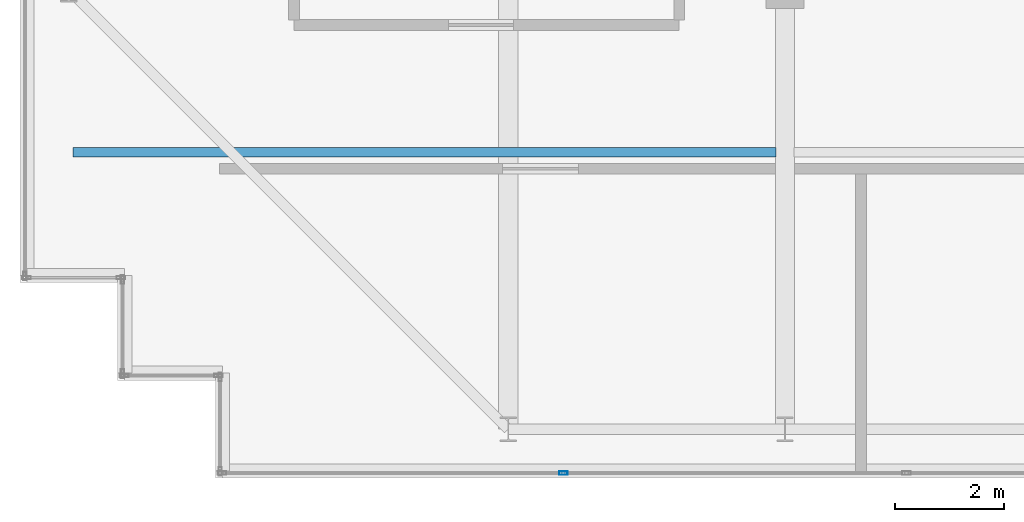
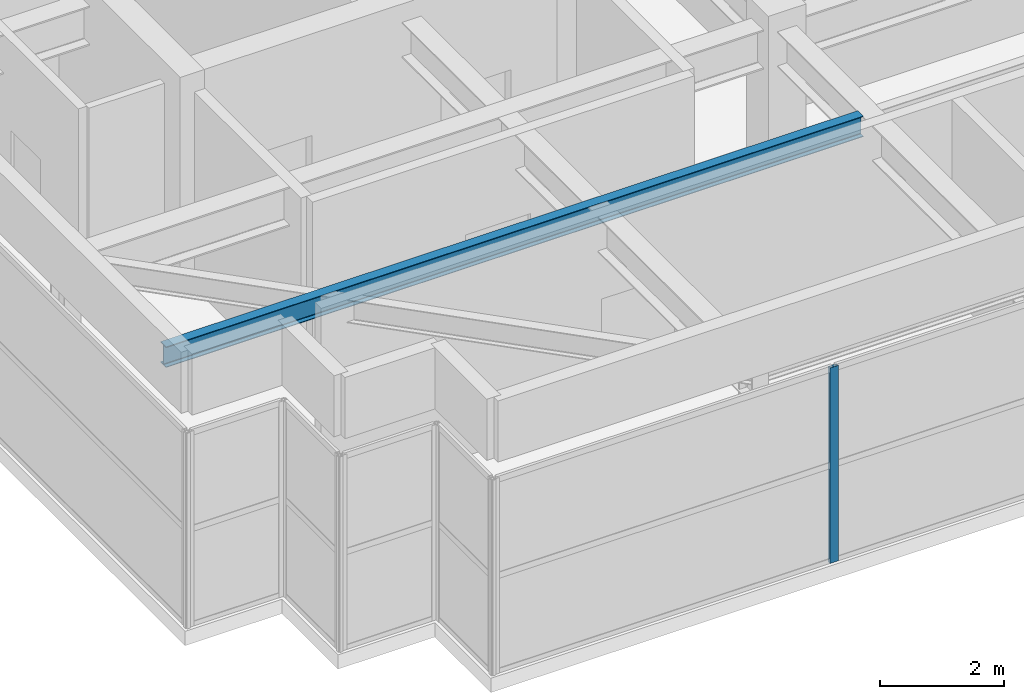
# One storey, part 3 of 33: 1 beam, 1 member, 1 element without a shape of its own.
"""IFC4 building model written with IfcOpenShell, lengths in metres."""

import ifcopenshell
import ifcopenshell.guid

model = None  # the IFC model being written
_history = None  # IfcOwnerHistory: only IFC2X3 demands one
_inside = {}  # id of a spatial element -> (the spatial element, [elements in it])
_under = {}  # id of a project, library or spatial element -> (it, [spatial elements below it])
_declared = {}  # id of a project -> (the project, [libraries it declares])
_typed = {}  # id of a type object -> (the type object, [elements of that type])
_made_of = {}  # id of a material, layer set ... -> (it, [elements and type objects made of it])


def new_model(schema):
    """Start an empty IFC model of exactly this schema.

    Asked for "IFC4X3", IfcOpenShell would pick the latest addendum, in which some entities
    have other attributes; the version numbers below select the first issue.
    IFC2X3 requires an IfcOwnerHistory on every rooted entity: one is made here for all.
    """
    global model, _history
    if schema == "IFC4X3":
        model = ifcopenshell.file(schema_version=(4, 3, 0, 0))
    else:
        model = ifcopenshell.file(schema=schema)
    _inside.clear()
    _under.clear()
    _declared.clear()
    _typed.clear()
    _made_of.clear()
    _history = None
    if model.schema == "IFC2X3":
        org = make("IfcOrganization", Name="unknown")
        user = make(
            "IfcPersonAndOrganization",
            ThePerson=make("IfcPerson", FamilyName="unknown"),
            TheOrganization=org,
        )
        app = make(
            "IfcApplication",
            ApplicationDeveloper=org,
            Version="unknown",
            ApplicationFullName="unknown",
            ApplicationIdentifier="unknown",
        )
        _history = make(
            "IfcOwnerHistory",
            OwningUser=user,
            OwningApplication=app,
            ChangeAction="ADDED",
            CreationDate=0,
        )
    return model


def make(cls, **values):
    """One entity of the class cls with the attributes given. An attribute that is None is left unset."""
    return model.create_entity(
        cls, **{name: value for name, value in values.items() if value is not None}
    )


def rooted(cls, **values):
    """An entity with a GlobalId (a new one), such as an element, a storey or a relation."""
    return make(cls, GlobalId=ifcopenshell.guid.new(), OwnerHistory=_history, **values)


def si_unit(unit_type, name, prefix=None):
    """IfcSIUnit, for example si_unit("LENGTHUNIT", "METRE", prefix="MILLI")."""
    return make("IfcSIUnit", UnitType=unit_type, Prefix=prefix, Name=name)


def assignment(units):
    """IfcUnitAssignment: the units of a project."""
    return None if units is None else make("IfcUnitAssignment", Units=units)


def point(xyz):
    """IfcCartesianPoint."""
    return None if xyz is None else make("IfcCartesianPoint", Coordinates=xyz)


def direction(xyz):
    """IfcDirection."""
    return None if xyz is None else make("IfcDirection", DirectionRatios=xyz)


def frame(location, z_axis=None, x_axis=None):
    """IfcAxis2Placement3D, a coordinate frame: its origin and axes. An axis left out is left unset."""
    return make(
        "IfcAxis2Placement3D",
        Location=point(location),
        Axis=direction(z_axis),
        RefDirection=direction(x_axis),
    )


def frame_2d(location, x_axis=None):
    """IfcAxis2Placement2D, a coordinate frame in the plane: its origin and x axis."""
    return make(
        "IfcAxis2Placement2D", Location=point(location), RefDirection=direction(x_axis)
    )


def origin():
    """The frame at (0, 0, 0) with its axes left unset."""
    return frame((0.0, 0.0, 0.0))


def origin_2d():
    """The frame at (0, 0) in the plane with its x axis left unset."""
    return frame_2d((0.0, 0.0))


def place(relative_to, where):
    """IfcLocalPlacement: puts the frame where relative to a parent placement (None: the world)."""
    return make(
        "IfcLocalPlacement", PlacementRelTo=relative_to, RelativePlacement=where
    )


def context(
    kind, dimensions, precision=None, world=None, true_north=None, identifier=None
):
    """IfcGeometricRepresentationContext, for example the 3D "Model" context."""
    return make(
        "IfcGeometricRepresentationContext",
        ContextIdentifier=identifier,
        ContextType=kind,
        CoordinateSpaceDimension=dimensions,
        Precision=precision,
        WorldCoordinateSystem=world,
        TrueNorth=true_north,
    )


def subcontext(parent, identifier, kind, view, scale=None):
    """IfcGeometricRepresentationSubContext, for example "Body" below "Model"."""
    return make(
        "IfcGeometricRepresentationSubContext",
        ContextIdentifier=identifier,
        ContextType=kind,
        ParentContext=parent,
        TargetScale=scale,
        TargetView=view,
    )


def project(units=None, contexts=None):
    """IfcProject with its units and contexts."""
    return rooted(
        "IfcProject",
        Name="project",
        RepresentationContexts=contexts,
        UnitsInContext=assignment(units),
    )


def spatial(cls, under=None, at=None, **own):
    """A site, building, storey or space (cls), placed at a placement, below another one or the project."""
    s = rooted(cls, ObjectPlacement=at, **own)
    if under is not None:
        _under.setdefault(under.id(), (under, []))[1].append(s)
    return s


def profile(cls, at=None, kind="AREA", **sizes):
    """A parametric profile (cls). Its sizes go by their IFC names, for example OverallWidth=200.0."""
    return make(cls, ProfileType=kind, Position=at, **sizes)


def hollow_rectangle(**sizes):
    """IfcRectangleHollowProfileDef."""
    return profile("IfcRectangleHollowProfileDef", **sizes)


def i_section(**sizes):
    """IfcIShapeProfileDef."""
    return profile("IfcIShapeProfileDef", **sizes)


def extrude(swept, where, along, depth):
    """IfcExtrudedAreaSolid: the profile swept, set in the frame where, extruded along a direction by depth."""
    return make(
        "IfcExtrudedAreaSolid",
        SweptArea=swept,
        Position=where,
        ExtrudedDirection=direction(along),
        Depth=depth,
    )


def shape(context_of_items, identifier, shape_type, items):
    """IfcShapeRepresentation: the items that make up one representation, for example the "Body"."""
    return make(
        "IfcShapeRepresentation",
        ContextOfItems=context_of_items,
        RepresentationIdentifier=identifier,
        RepresentationType=shape_type,
        Items=items,
    )


def source(mapping_origin, context_of_items, identifier, shape_type, items):
    """IfcRepresentationMap: a shape defined once, which mapped items show again and again."""
    return make(
        "IfcRepresentationMap",
        MappingOrigin=mapping_origin,
        MappedRepresentation=shape(context_of_items, identifier, shape_type, items),
    )


def transform(
    local_origin,
    x_axis=None,
    y_axis=None,
    z_axis=None,
    scale=None,
    scale2=None,
    scale3=None,
    uniform=True,
):
    """IfcCartesianTransformationOperator3D, or its non-uniform kind. x_axis, y_axis, z_axis: its Axis1, 2, 3."""
    if uniform:
        return make(
            "IfcCartesianTransformationOperator3D",
            Axis1=direction(x_axis),
            Axis2=direction(y_axis),
            LocalOrigin=point(local_origin),
            Scale=scale,
            Axis3=direction(z_axis),
        )
    return make(
        "IfcCartesianTransformationOperator3DnonUniform",
        Axis1=direction(x_axis),
        Axis2=direction(y_axis),
        LocalOrigin=point(local_origin),
        Scale=scale,
        Axis3=direction(z_axis),
        Scale2=scale2,
        Scale3=scale3,
    )


def mapped(mapping_source, mapping_target):
    """IfcMappedItem: shows the shape of a source again, moved by a transform."""
    return make(
        "IfcMappedItem", MappingSource=mapping_source, MappingTarget=mapping_target
    )


def material(Name=None, Category=None):
    """IfcMaterial."""
    return make("IfcMaterial", Name=Name, Category=Category)


def layer(
    of_material, thickness, ventilated=None, Name=None, Category=None, Priority=None
):
    """IfcMaterialLayer: one layer of a wall or slab, of a material (None: an air gap)."""
    return make(
        "IfcMaterialLayer",
        Material=of_material,
        LayerThickness=thickness,
        IsVentilated=ventilated,
        Name=Name,
        Category=Category,
        Priority=Priority,
    )


def layer_set(layers, Name=None):
    """IfcMaterialLayerSet."""
    return make("IfcMaterialLayerSet", MaterialLayers=layers, LayerSetName=Name)


def material_profile(
    of_material, cross_section, Name=None, Category=None, Priority=None
):
    """IfcMaterialProfile: a cross section and its material."""
    return make(
        "IfcMaterialProfile",
        Name=Name,
        Material=of_material,
        Profile=cross_section,
        Priority=Priority,
        Category=Category,
    )


def profile_set(profiles, Name=None, composite=None):
    """IfcMaterialProfileSet."""
    return make(
        "IfcMaterialProfileSet",
        Name=Name,
        MaterialProfiles=profiles,
        CompositeProfile=composite,
    )


def made_of(thing, what):
    """Note that an element or type object is made of a material, layer set ...; save() writes the relation."""
    if what is not None:
        _made_of.setdefault(what.id(), (what, []))[1].append(thing)
    return thing


def type_object(cls, material=None, **own):
    """A type object (cls), such as IfcWallType, which elements share."""
    return made_of(rooted(cls, **own), material)


def element(
    cls,
    number,
    at=None,
    inside=None,
    cuts=None,
    type_object=None,
    material=None,
    context=None,
    identifier="Body",
    shape_type=None,
    held_by="IfcProductDefinitionShape",
    body=None,
    shapes=None,
    **own,
):
    """One element of the class cls, such as IfcWall. Its Tag is "e" and its number.

    at: its placement. inside: the storey or other place that contains it. cuts: it is an
    opening in that element (IfcRelVoidsElement). A single representation is given by context,
    identifier, shape_type and body (its items); several are given by shapes. held_by: the class
    of the entity that holds the representations. save() writes the other relations.
    """
    e = rooted(cls, Tag="e%d" % number, ObjectPlacement=at, **own)
    if body is not None:
        shapes = [shape(context, identifier, shape_type, body)]
    if shapes is not None:
        e.Representation = make(held_by, Representations=shapes)
    if inside is not None:
        _inside.setdefault(inside.id(), (inside, []))[1].append(e)
    if cuts is not None:
        rooted(
            "IfcRelVoidsElement", RelatingBuildingElement=cuts, RelatedOpeningElement=e
        )
    if type_object is not None:
        _typed.setdefault(type_object.id(), (type_object, []))[1].append(e)
    return made_of(e, material)


def aggregate(whole, parts):
    """IfcRelAggregates: a whole, such as a stair, and the parts it consists of."""
    return rooted("IfcRelAggregates", RelatingObject=whole, RelatedObjects=parts)


def save(model, path):
    """Write the relations noted so far, then the file.

    IfcRelAggregates (storeys below a building ...), IfcRelContainedInSpatialStructure (elements
    in a storey), IfcRelDefinesByType, IfcRelAssociatesMaterial and IfcRelDeclares: one each for
    every whole, place, type object, material and project.
    """
    for whole, parts in _under.values():
        aggregate(whole, parts)
    for where, things in _inside.values():
        rooted(
            "IfcRelContainedInSpatialStructure",
            RelatedElements=things,
            RelatingStructure=where,
        )
    for kind, things in _typed.values():
        rooted("IfcRelDefinesByType", RelatedObjects=things, RelatingType=kind)
    for what, things in _made_of.values():
        rooted("IfcRelAssociatesMaterial", RelatedObjects=things, RelatingMaterial=what)
    for by, libraries in _declared.values():
        rooted("IfcRelDeclares", RelatingContext=by, RelatedDefinitions=libraries)
    model.write(path)


model = new_model("IFC4")

# Units and contexts
model_context = context("Model", 3, precision=1e-05, world=origin(), true_north=direction((0.0, 1.0)))
body_context = subcontext(model_context, "Body", "Model", "MODEL_VIEW")
ifc_project = project(units=[si_unit("LENGTHUNIT", "METRE"), si_unit("AREAUNIT", "SQUARE_METRE"), si_unit("VOLUMEUNIT", "CUBIC_METRE"), si_unit("PLANEANGLEUNIT", "RADIAN"), si_unit("MASSUNIT", "GRAM", prefix="KILO")], contexts=[model_context])

# Site, building, storey
site_placement = place(None, origin())
site = spatial("IfcSite", under=ifc_project, at=site_placement, CompositionType="ELEMENT")
building_placement = place(site_placement, origin())
building = spatial("IfcBuilding", under=site, at=building_placement, Name="Khoralis Quay Care Tower", CompositionType="ELEMENT")
storey_placement = place(building_placement, frame((0.0, 0.0, 314.699951171875)))
storey = spatial("IfcBuildingStorey", under=building, at=storey_placement, Name="L82", CompositionType="ELEMENT", Elevation=314.699951171875)

# Beam
ifc_material_1 = material(Name="Steel S355", Category="steel")
ifc_material_profile_1 = material_profile(ifc_material_1, i_section(OverallWidth=0.177978515625, OverallDepth=0.406982421875, WebThickness=0.0078125, FlangeThickness=0.0126953125, FilletRadius=0.012939453125, at=origin_2d()), Name="Steel S355")
ifc_profile_set_1 = profile_set([ifc_material_profile_1], Name="Steel S355")
beam_type = type_object("IfcBeamType", Name="BM-W410X60", PredefinedType="JOIST", material=ifc_profile_set_1)
shared_shape_1 = source(origin(), body_context, "Body", "SweptSolid", [
    extrude(i_section(OverallWidth=0.177978515625, OverallDepth=0.406982421875, WebThickness=0.0078125, FlangeThickness=0.0126953125, FilletRadius=0.012939453125, at=origin_2d()), origin(), (0.0, 0.0, 1.0), 12.95361328125),
])
beam_placement = place(storey_placement, frame((3.98095703125, 9.0, 3.636474609375), z_axis=(1.0, 0.0, 0.0), x_axis=(0.0, 1.0, 0.0)))
element("IfcBeam", 1, at=beam_placement, inside=storey, type_object=beam_type, Name="BM-TJS-L82-21", PredefinedType="JOIST", context=body_context, shape_type="MappedRepresentation", body=[
    mapped(shared_shape_1, transform((0.0, 0.0, 0.0), scale=1.0)),
])

# Curtain wall, member
ifc_material_2 = material(Name="Pale anodised aluminium", Category="aluminium")
ifc_layer = layer(ifc_material_2, 0.199951171875)
ifc_layer_set = layer_set([ifc_layer], Name="Pale anodised aluminium")
curtain_wall_type = type_object("IfcCurtainWallType", Name="CW-SYS-LANTERN", PredefinedType="NOTDEFINED", material=ifc_layer_set)
curtain_wall_placement = place(storey_placement, origin())
curtain_wall = element("IfcCurtainWall", 2, at=curtain_wall_placement, inside=storey, type_object=curtain_wall_type, Name="L82 Unitised Curtain Wall CW-LN-L82-01", PredefinedType="NOTDEFINED")
ifc_material_profile_2 = material_profile(ifc_material_2, hollow_rectangle(XDim=0.06005859375, YDim=0.159912109375, WallThickness=0.00390625, at=origin_2d()), Name="Pale anodised aluminium")
ifc_profile_set_2 = profile_set([ifc_material_profile_2], Name="Pale anodised aluminium")
member_type = type_object("IfcMemberType", Name="CW-MUL-160", PredefinedType="MULLION", material=ifc_profile_set_2)
shared_shape_2 = source(origin(), body_context, "Body", "SweptSolid", [
    extrude(hollow_rectangle(XDim=0.06005859375, YDim=0.159912109375, WallThickness=0.00390625, at=origin_2d()), origin(), (0.0, 0.0, 1.0), 3.840087890625),
])
member_placement = place(storey_placement, frame((13.013916015625, 3.090087890625, 0.0), z_axis=(0.0, 0.0, 1.0), x_axis=(0.0, 1.0, 0.0)))
member = element("IfcMember", 3, at=member_placement, type_object=member_type, Name="CW5 mullion 2", PredefinedType="MULLION", context=body_context, shape_type="MappedRepresentation", body=[
    mapped(shared_shape_2, transform((0.0, 0.0, 0.0), scale=1.0)),
])
aggregate(curtain_wall, [member])

save(model, "model.ifc")
